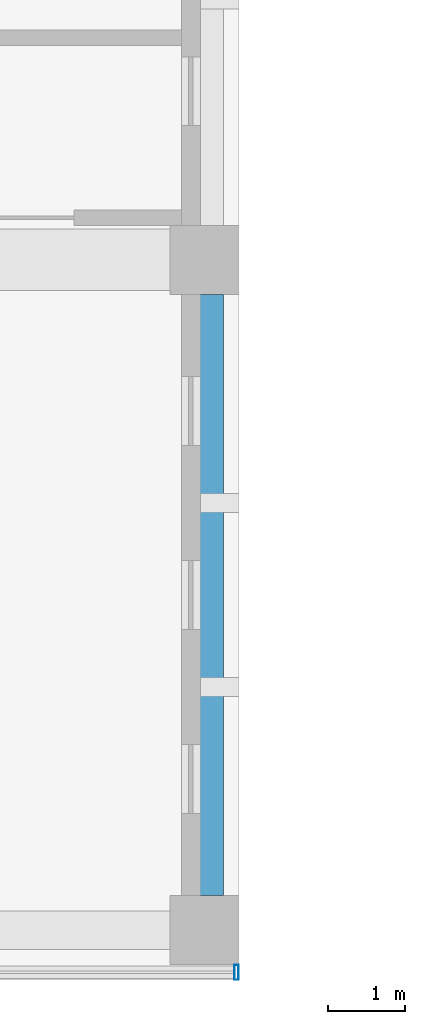
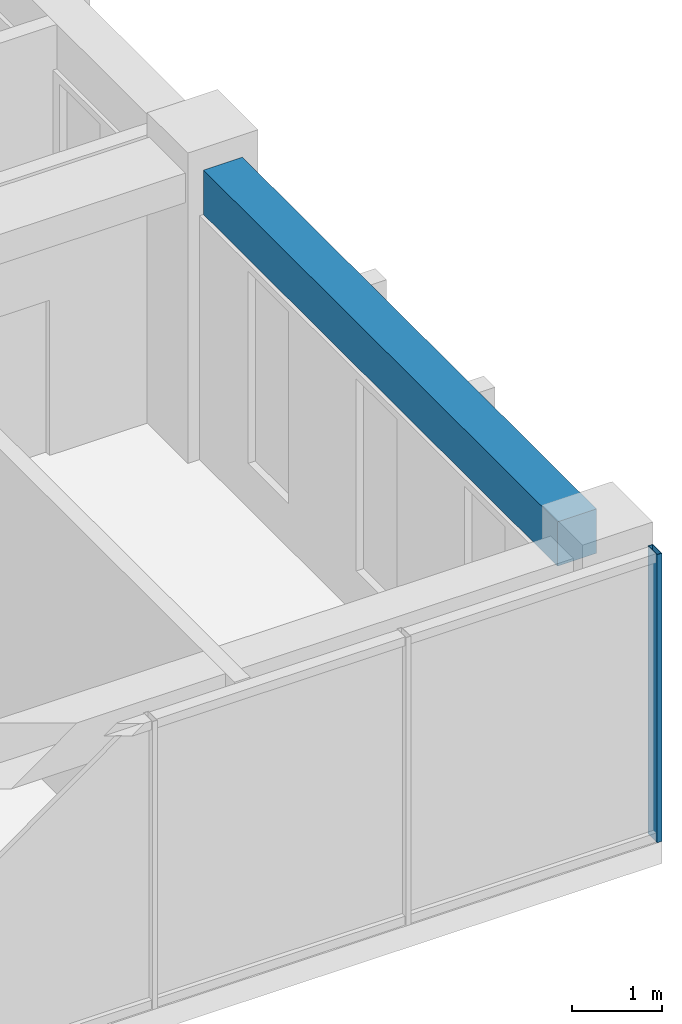
# One storey, part 14 of 37: 1 beam, 1 member, 1 element without a shape of its own.
"""IFC4 building model written with IfcOpenShell, lengths in metres."""

from ifc_helpers import new_model, si_unit, direction, frame, origin, origin_2d, place, context, subcontext, project, spatial, rectangle, hollow_rectangle, extrude, material, layer, layer_set, material_profile, profile_set, type_object, element, aggregate, save


model = new_model("IFC4")

# Units and contexts
model_context = context("Model", 3, precision=1e-05, world=origin(), true_north=direction((0.0, 1.0)))
body_context = subcontext(model_context, "Body", "Model", "MODEL_VIEW")
ifc_project = project(units=[si_unit("LENGTHUNIT", "METRE"), si_unit("AREAUNIT", "SQUARE_METRE"), si_unit("VOLUMEUNIT", "CUBIC_METRE"), si_unit("PLANEANGLEUNIT", "RADIAN"), si_unit("MASSUNIT", "GRAM", prefix="KILO")], contexts=[model_context])

# Site, building, storey
site_placement = place(None, origin())
site = spatial("IfcSite", under=ifc_project, at=site_placement, CompositionType="ELEMENT")
building_placement = place(site_placement, origin())
building = spatial("IfcBuilding", under=site, at=building_placement, Name="Nzadi Deep Aquarium and Research Tower", CompositionType="ELEMENT")
storey_placement = place(building_placement, frame((0.0, 0.0, 61.300048828125)))
storey = spatial("IfcBuildingStorey", under=building, at=storey_placement, Name="L12", CompositionType="ELEMENT", Elevation=61.300048828125)

# Curtain wall, member
ifc_material_1 = material(Name="Aluminium unitised frame", Category="aluminium")
ifc_layer = layer(ifc_material_1, 0.199951171875)
ifc_layer_set = layer_set([ifc_layer], Name="Aluminium unitised frame")
curtain_wall_type = type_object("IfcCurtainWallType", Name="Curtain wall Unitised 200", PredefinedType="NOTDEFINED", material=ifc_layer_set)
curtain_wall_placement = place(storey_placement, origin())
curtain_wall = element("IfcCurtainWall", 1, at=curtain_wall_placement, inside=storey, type_object=curtain_wall_type, Name="Unitised curtain wall blade A south L12", PredefinedType="NOTDEFINED")
ifc_material_2 = material(Name="Aluminium unitised frame", Category="aluminium")
ifc_material_profile_1 = material_profile(ifc_material_2, hollow_rectangle(XDim=0.199951171875, YDim=0.06005859375, WallThickness=0.0048828125, at=origin_2d()))
ifc_profile_set_1 = profile_set([ifc_material_profile_1], Name="Aluminium unitised frame")
member_type = type_object("IfcMemberType", Name="Mullion 60x200 Unitised", PredefinedType="MULLION", material=ifc_profile_set_1)
member_placement = place(storey_placement, frame((48.419921875, -0.10009765625, 0.0), z_axis=(0.0, 0.0, 1.0), x_axis=(0.0, 1.0, 0.0)))
member = element("IfcMember", 2, at=member_placement, type_object=member_type, Name="CW050 mullion 16", PredefinedType="MULLION", context=body_context, shape_type="SweptSolid", body=[
    extrude(hollow_rectangle(XDim=0.199951171875, YDim=0.06005859375, WallThickness=0.0048828125, at=origin_2d()), origin(), (0.0, 0.0, 1.0), 3.89990234375),
])
aggregate(curtain_wall, [member])

# Beam
ifc_material_3 = material(Name="Concrete C35/45", Category="concrete")
ifc_material_profile_2 = material_profile(ifc_material_3, rectangle(XDim=0.5, YDim=0.60009765625, at=origin_2d()))
ifc_profile_set_2 = profile_set([ifc_material_profile_2], Name="Concrete C35/45")
beam_type = type_object("IfcBeamType", Name="RC 500x600", PredefinedType="BEAM", material=ifc_profile_set_2)
beam_placement = place(storey_placement, frame((48.0, 0.89990234375, 3.599853515625), z_axis=(0.0, 1.0, 0.0), x_axis=(-1.0, 0.0, 0.0)))
element("IfcBeam", 3, at=beam_placement, inside=storey, type_object=beam_type, Name="B-Z1-L12-CF-1-1", PredefinedType="BEAM", context=body_context, shape_type="SweptSolid", body=[
    extrude(rectangle(XDim=0.5, YDim=0.60009765625, at=origin_2d()), origin(), (0.0, 0.0, 1.0), 7.85009765625),
])

save(model, "model.ifc")
